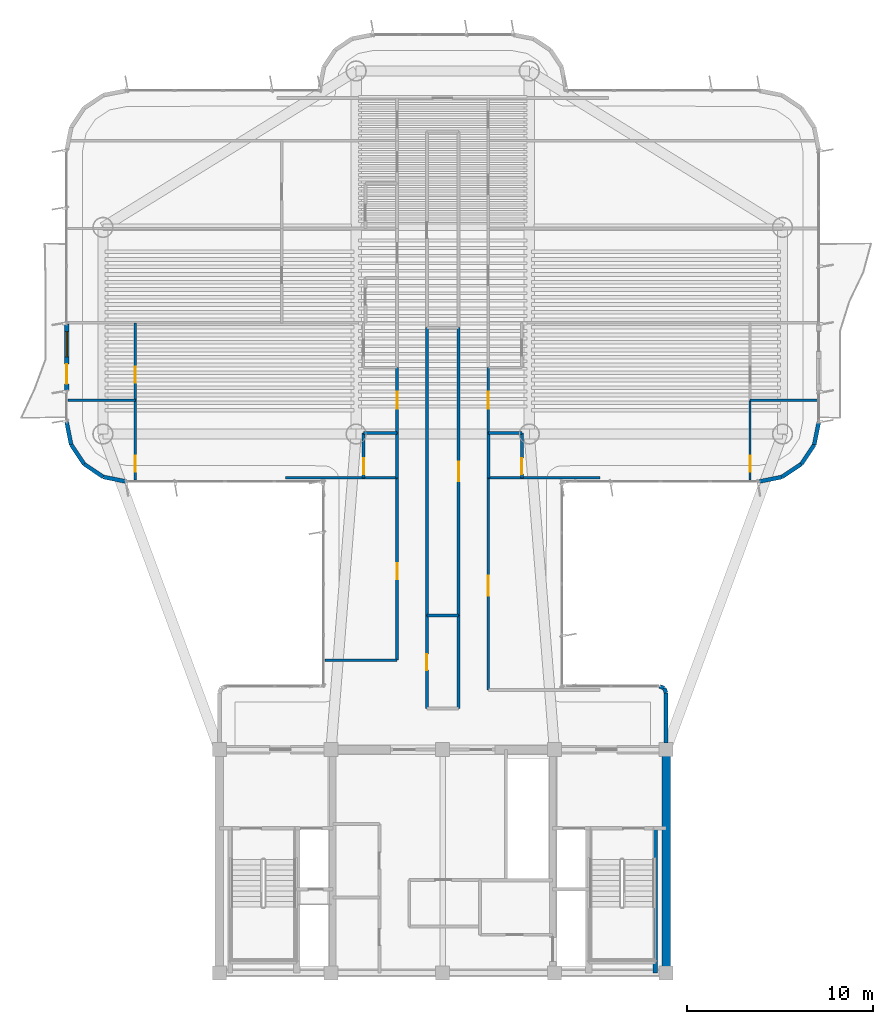
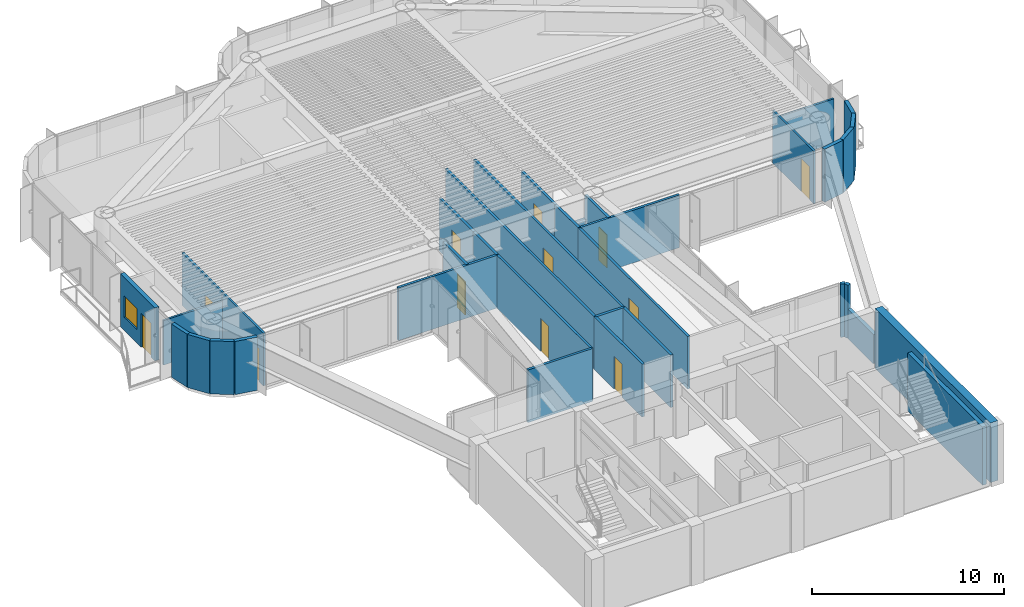
# One storey, part 9 of 13: 37 walls, 12 doors, 1 window, 13 openings.
"""IFC4 building model written with IfcOpenShell, lengths in metres."""

from ifc_helpers import new_model, si_unit, direction, frame, frame_2d, origin, origin_2d, place, context, subcontext, project, spatial, rectangle, extrude, source, transform, mapped, material, layer, layer_set, type_object, element, fill, save


model = new_model("IFC4")

# Units and contexts
model_context = context("Model", 3, precision=1e-05, world=origin(), true_north=direction((0.0, 1.0)))
body_context = subcontext(model_context, "Body", "Model", "MODEL_VIEW")
ifc_project = project(units=[si_unit("LENGTHUNIT", "METRE"), si_unit("AREAUNIT", "SQUARE_METRE"), si_unit("VOLUMEUNIT", "CUBIC_METRE"), si_unit("PLANEANGLEUNIT", "RADIAN"), si_unit("MASSUNIT", "GRAM", prefix="KILO")], contexts=[model_context])

# Site, building, storey
site_placement = place(None, origin())
site = spatial("IfcSite", under=ifc_project, at=site_placement, CompositionType="ELEMENT")
building_placement = place(site_placement, origin())
building = spatial("IfcBuilding", under=site, at=building_placement, Name="Brelvock Crest Care Tower", CompositionType="ELEMENT")
storey_placement = place(building_placement, frame((0.0, 0.0, 209.340087890625)))
storey = spatial("IfcBuildingStorey", under=building, at=storey_placement, Name="L53", CompositionType="ELEMENT", Elevation=209.340087890625)

# Walls
ifc_material_1 = material(Name="Concrete S65 (65 MPa)", Category="concrete")
ifc_layer_1 = layer(ifc_material_1, 0.449951171875, Name="WL-CS3")
ifc_layer_set_1 = layer_set([ifc_layer_1], Name="Concrete S65 (65 MPa)")
wall_type_1 = type_object("IfcWallType", Name="WL-CS3", PredefinedType="SHEAR", material=ifc_layer_set_1)
wall_1_placement = place(storey_placement, frame((48.0, 18.0, 0.0), z_axis=(0.0, 0.0, 1.0), x_axis=(0.0, -1.0, 0.0)))
element("IfcWall", 1, at=wall_1_placement, inside=storey, type_object=wall_type_1, Name="L53 Core East Shear Wall", PredefinedType="SHEAR", context=body_context, shape_type="SweptSolid", body=[
    extrude(rectangle(XDim=12.0, YDim=0.449951171875, at=frame_2d((6.0, 0.0))), origin(), (0.0, 0.0, 1.0), 3.780029296875),
])
ifc_material_2 = material(Name="Concrete S80 (80 MPa)", Category="concrete")
ifc_layer_2 = layer(ifc_material_2, 0.25, Name="WL-CS6")
ifc_layer_set_2 = layer_set([ifc_layer_2], Name="Concrete S80 (80 MPa)")
wall_type_2 = type_object("IfcWallType", Name="WL-CS6", PredefinedType="SHEAR", material=ifc_layer_set_2)
wall_2_placement = place(storey_placement, frame((47.419921875, 6.0, 0.0), z_axis=(0.0, 0.0, 1.0), x_axis=(0.0, 1.0, 0.0)))
element("IfcWall", 2, at=wall_2_placement, inside=storey, type_object=wall_type_2, Name="L53 Core Stair ST-2 East Shear Wall", PredefinedType="SHEAR", context=body_context, shape_type="SweptSolid", body=[
    extrude(rectangle(XDim=7.780029296875, YDim=0.25, at=frame_2d((3.89013671875, 0.0))), origin(), (0.0, 0.0, 1.0), 3.69189453125),
])

# Wall, openings, door, window
ifc_material_3 = material(Name="Precast concrete N40 (40 MPa)", Category="concrete")
ifc_layer_3 = layer(ifc_material_3, 0.239990234375, Name="WL-EX1")
ifc_layer_set_3 = layer_set([ifc_layer_3], Name="Precast concrete N40 (40 MPa)")
wall_type_3 = type_object("IfcWallType", Name="WL-EX1", PredefinedType="SOLIDWALL", material=ifc_layer_set_3)
wall_3_placement = place(storey_placement, frame((15.800048828125, 37.25, 0.0), z_axis=(0.0, 0.0, 1.0), x_axis=(0.0, 1.0, 0.0)))
wall_3 = element("IfcWall", 3, at=wall_3_placement, inside=storey, type_object=wall_type_3, Name="L53 Exterior Spandrel Wall WL-BAL-L53-W", PredefinedType="SOLIDWALL", context=body_context, shape_type="SweptSolid", body=[
    extrude(rectangle(XDim=3.60009765625, YDim=0.239990234375, at=frame_2d((1.800048828125, 0.0))), origin(), (0.0, 0.0, 1.0), 3.371826171875),
])
opening_1_placement = place(wall_3_placement, frame((0.39990234375, 0.0, 0.0)))
opening_1 = element("IfcOpeningElement", 4, at=opening_1_placement, cuts=wall_3, Name="Opening BD-1", PredefinedType="OPENING", context=body_context, shape_type="SweptSolid", body=[
    extrude(rectangle(XDim=1.050048828125, YDim=2.14990234375, at=origin_2d()), frame((0.52490234375, 0.1298828125, 1.074951171875), z_axis=(0.0, -1.0, 0.0), x_axis=(1.0, 0.0, 0.0)), (0.0, 0.0, 1.0), 0.260009765625),
])
opening_2_placement = place(wall_3_placement, frame((1.85009765625, 0.0, 0.85009765625)))
opening_2 = element("IfcOpeningElement", 5, at=opening_2_placement, cuts=wall_3, Name="Opening W-01", PredefinedType="OPENING", context=body_context, shape_type="SweptSolid", body=[
    extrude(rectangle(XDim=1.35009765625, YDim=1.35009765625, at=origin_2d()), frame((0.675048828125, 0.1298828125, 0.675048828125), z_axis=(0.0, -1.0, 0.0), x_axis=(1.0, 0.0, 0.0)), (0.0, 0.0, 1.0), 0.260009765625),
])
ifc_material_4 = material(Name="Dark Glass Double Glazed Low-E", Category="glass")
door_type_1 = type_object("IfcDoorType", Name="DR-BAL1", OperationType="NOTDEFINED", PredefinedType="DOOR", material=ifc_material_4)
shared_shape_1 = source(origin(), body_context, "Body", "SweptSolid", [
    extrude(rectangle(XDim=1.050048828125, YDim=2.14990234375, at=origin_2d()), frame((0.52490234375, 0.02490234375, 1.074951171875), z_axis=(0.0, -1.0, 0.0), x_axis=(1.0, 0.0, 0.0)), (0.0, 0.0, 1.0), 0.050048828125),
])
door_1_placement = place(opening_1_placement, origin())
door_1 = element("IfcDoor", 6, at=door_1_placement, inside=storey, type_object=door_type_1, Name="L53 W Wave Balcony Glazed Door", OperationType="SINGLE_SWING_LEFT", OverallHeight=2.14990234375, OverallWidth=1.050048828125, PredefinedType="DOOR", context=body_context, shape_type="MappedRepresentation", body=[
    mapped(shared_shape_1, transform((0.0, 0.0, 0.0), x_axis=(1.0, 0.0, 0.0), y_axis=(0.0, 1.0, 0.0), z_axis=(0.0, 0.0, 1.0), scale=1.0)),
])
fill(opening_1, door_1)
window_type = type_object("IfcWindowType", Name="WN-EX1", PartitioningType="SINGLE_PANEL", PredefinedType="WINDOW", material=ifc_material_4)
shared_shape_2 = source(origin(), body_context, "Body", "SweptSolid", [
    extrude(rectangle(XDim=1.35009765625, YDim=1.35009765625, at=origin_2d()), frame((0.675048828125, 0.030029296875, 0.675048828125), z_axis=(0.0, -1.0, 0.0), x_axis=(1.0, 0.0, 0.0)), (0.0, 0.0, 1.0), 0.06005859375),
])
window_placement = place(opening_2_placement, origin())
window = element("IfcWindow", 7, at=window_placement, inside=storey, type_object=window_type, Name="L53 W Suite Casement Window", OverallHeight=1.35009765625, OverallWidth=1.35009765625, PartitioningType="SINGLE_PANEL", PredefinedType="WINDOW", context=body_context, shape_type="MappedRepresentation", body=[
    mapped(shared_shape_2, transform((0.0, 0.0, 0.0), x_axis=(1.0, 0.0, 0.0), y_axis=(0.0, 1.0, 0.0), z_axis=(0.0, 0.0, 1.0), scale=1.0)),
])
fill(opening_2, window)

# Walls
ifc_layer_4 = layer(ifc_material_3, 0.215087890625, Name="WL-EX2")
ifc_layer_set_4 = layer_set([ifc_layer_4], Name="Precast concrete N40 (40 MPa)")
wall_type_4 = type_object("IfcWallType", Name="WL-EX2", PredefinedType="SOLIDWALL", material=ifc_layer_set_4)
wall_4_placement = place(storey_placement, frame((47.8974609375, 21.297607421875, 0.0), z_axis=(0.0, 0.0, 1.0), x_axis=(0.382673670509, -0.923883575944, 0.0)))
element("IfcWall", 8, at=wall_4_placement, inside=storey, type_object=wall_type_4, Name="L53 Rounded Corner Wall 00", PredefinedType="SOLIDWALL", context=body_context, shape_type="SweptSolid", body=[
    extrude(rectangle(XDim=0.26806640625, YDim=0.215087890625, at=frame_2d((0.134033203125, 0.0))), origin(), (0.0, 0.0, 1.0), 3.371826171875),
])
wall_5_placement = place(storey_placement, frame((48.0, 21.050048828125, 0.0), z_axis=(0.0, 0.0, 1.0), x_axis=(0.0, -1.0, 0.0)))
element("IfcWall", 9, at=wall_5_placement, inside=storey, type_object=wall_type_4, Name="L53 Rounded Corner Wall 01", PredefinedType="SOLIDWALL", context=body_context, shape_type="SweptSolid", body=[
    extrude(rectangle(XDim=2.695068359375, YDim=0.215087890625, at=frame_2d((1.34765625, 0.0))), origin(), (0.0, 0.0, 1.0), 1.85986328125),
])
for number, where, z_axis, x_axis, name in (
    (10, (19.0, 32.39990234375, 0.0), (0.0, 0.0, 1.0), (-0.980775717779, 0.195138390419, 0.0), "L53 Rounded Corner Wall 13"),
    (11, (17.775390625, 32.6435546875, 0.0), (0.0, 0.0, 1.0), (-0.831387912822, 0.555692485475, 0.0), "L53 Rounded Corner Wall 14"),
    (12, (16.7373046875, 33.33740234375, 0.0), (0.0, 0.0, 1.0), (-0.555557312883, 0.831478245117, 0.0), "L53 Rounded Corner Wall 15"),
    (13, (16.043701171875, 34.37548828125, 0.0), (0.0, 0.0, 1.0), (-0.195138390419, 0.980775717779, 0.0), "L53 Rounded Corner Wall 16"),
    (14, (56.199951171875, 35.60009765625, 0.0), (0.0, 0.0, 1.0), (-0.195138390419, -0.980775717779, 0.0), "L53 Rounded Corner Wall 40"),
    (15, (55.956298828125, 34.37548828125, 0.0), (0.0, 0.0, 1.0), (-0.555557312883, -0.831478245117, 0.0), "L53 Rounded Corner Wall 41"),
    (16, (55.2626953125, 33.33740234375, 0.0), (0.0, 0.0, 1.0), (-0.831387912822, -0.555692485475, 0.0), "L53 Rounded Corner Wall 42"),
    (17, (54.224609375, 32.6435546875, 0.0), (0.0, 0.0, 1.0), (-0.980775717779, -0.195138390419, 0.0), "L53 Rounded Corner Wall 43"),
):
    element("IfcWall", number, at=place(storey_placement, frame(where, z_axis=z_axis, x_axis=x_axis)), inside=storey, type_object=wall_type_4, Name=name, PredefinedType="SOLIDWALL", context=body_context, shape_type="SweptSolid", body=[
        extrude(rectangle(XDim=1.24853515625, YDim=0.215087890625, at=frame_2d((0.624267578125, 0.0))), origin(), (0.0, 0.0, 1.0), 3.371826171875),
    ])
wall_6_placement = place(storey_placement, frame((47.64990234375, 21.39990234375, 0.0), z_axis=(0.0, 0.0, 1.0), x_axis=(0.924205486139, -0.381895560841, 0.0)))
element("IfcWall", 18, at=wall_6_placement, inside=storey, type_object=wall_type_4, Name="L53 Rounded Corner Wall 47", PredefinedType="SOLIDWALL", context=body_context, shape_type="SweptSolid", body=[
    extrude(rectangle(XDim=0.267822265625, YDim=0.215087890625, at=frame_2d((0.1337890625, 0.0))), origin(), (0.0, 0.0, 1.0), 3.371826171875),
])
ifc_material_5 = material(Name="Masonry Blockwork Acoustic Partition", Category="masonry")
ifc_layer_5 = layer(ifc_material_5, 0.14990234375, Name="WL-INT1")
ifc_layer_set_5 = layer_set([ifc_layer_5], Name="Masonry Blockwork Acoustic Partition")
wall_type_5 = type_object("IfcWallType", Name="WL-INT1", PredefinedType="PARTITIONING", material=ifc_layer_set_5)
wall_7_placement = place(storey_placement, frame((29.6796875, 22.800048828125, 0.0), z_axis=(0.0, 0.0, 1.0), x_axis=(1.0, 0.0, 0.0)))
element("IfcWall", 19, at=wall_7_placement, inside=storey, type_object=wall_type_5, Name="L53 Interior Wall WL-BX-L53-THRW-S", PredefinedType="PARTITIONING", context=body_context, shape_type="SweptSolid", body=[
    extrude(rectangle(XDim=3.870361328125, YDim=0.14990234375, at=frame_2d((1.93505859375, 0.0))), origin(), (0.0, 0.0, 1.0), 3.341796875),
])
wall_8_placement = place(storey_placement, frame((27.55712890625, 32.60009765625, 0.0), z_axis=(0.0, 0.0, 1.0), x_axis=(1.0, 0.0, 0.0)))
element("IfcWall", 20, at=wall_8_placement, inside=storey, type_object=wall_type_5, Name="L53 Interior Wall WL-BX-L53-FL-WF1-S2", PredefinedType="PARTITIONING", context=body_context, shape_type="SweptSolid", body=[
    extrude(rectangle(XDim=5.992919921875, YDim=0.14990234375, at=frame_2d((2.99658203125, 0.0))), origin(), (0.0, 0.0, 1.0), 3.341796875),
])
wall_9_placement = place(storey_placement, frame((38.449951171875, 32.60009765625, 0.0), z_axis=(0.0, 0.0, 1.0), x_axis=(1.0, 0.0, 0.0)))
element("IfcWall", 21, at=wall_9_placement, inside=storey, type_object=wall_type_5, Name="L53 Interior Wall WL-BX-L53-FL-EF1-S", PredefinedType="PARTITIONING", context=body_context, shape_type="SweptSolid", body=[
    extrude(rectangle(XDim=5.993408203125, YDim=0.14990234375, at=frame_2d((2.99658203125, 0.0))), origin(), (0.0, 0.0, 1.0), 3.341796875),
])

# Wall, opening, door
wall_10_placement = place(storey_placement, frame((33.550048828125, 22.800048828125, 0.0), z_axis=(0.0, 0.0, 1.0), x_axis=(0.0, 1.0, 0.0)))
wall_10 = element("IfcWall", 22, at=wall_10_placement, inside=storey, type_object=wall_type_5, Name="L53 Interior Wall WL-RM-L53-THRW", PredefinedType="PARTITIONING", context=body_context, shape_type="SweptSolid", body=[
    extrude(rectangle(XDim=9.800048828125, YDim=0.14990234375, at=frame_2d((4.89990234375, 0.0))), origin(), (0.0, 0.0, 1.0), 3.341796875),
])
opening_3_placement = place(wall_10_placement, frame((4.340087890625, 0.0, 0.0)))
opening_3 = element("IfcOpeningElement", 23, at=opening_3_placement, cuts=wall_10, Name="Opening ID-1", PredefinedType="OPENING", context=body_context, shape_type="SweptSolid", body=[
    extrude(rectangle(XDim=0.860107421875, YDim=2.10009765625, at=origin_2d()), frame((0.43017578125, 0.0849609375, 1.050048828125), z_axis=(0.0, -1.0, 0.0), x_axis=(1.0, 0.0, 0.0)), (0.0, 0.0, 1.0), 0.169921875),
])
ifc_material_6 = material(Name="Engineered Hardwood Timber", Category="wood")
door_type_2 = type_object("IfcDoorType", Name="DR-INT1", OperationType="NOTDEFINED", PredefinedType="DOOR", material=ifc_material_6)
shared_shape_3 = source(origin(), body_context, "Body", "SweptSolid", [
    extrude(rectangle(XDim=0.860107421875, YDim=2.10009765625, at=origin_2d()), frame((0.43017578125, 0.02490234375, 1.050048828125), z_axis=(0.0, -1.0, 0.0), x_axis=(1.0, 0.0, 0.0)), (0.0, 0.0, 1.0), 0.050048828125),
])
door_2_placement = place(opening_3_placement, origin())
door_2 = element("IfcDoor", 24, at=door_2_placement, inside=storey, type_object=door_type_2, Name="L53 Quiet Family Consultation Room Door THRW", OperationType="SINGLE_SWING_LEFT", OverallHeight=2.10009765625, OverallWidth=0.860107421875, PredefinedType="DOOR", context=body_context, shape_type="MappedRepresentation", body=[
    mapped(shared_shape_3, transform((0.0, 0.0, 0.0), x_axis=(1.0, 0.0, 0.0), y_axis=(0.0, 1.0, 0.0), z_axis=(0.0, 0.0, 1.0), scale=1.0)),
])
fill(opening_3, door_2)

wall_11_placement = place(storey_placement, frame((33.550048828125, 35.0, 0.0), z_axis=(0.0, 0.0, 1.0), x_axis=(0.0, 1.0, 0.0)))
wall_11 = element("IfcWall", 25, at=wall_11_placement, inside=storey, type_object=wall_type_5, Name="L53 Interior Wall WL-UENT-L53-WF1", PredefinedType="PARTITIONING", context=body_context, shape_type="SweptSolid", body=[
    extrude(rectangle(XDim=3.52587890625, YDim=0.14990234375, at=frame_2d((1.762939453125, 0.0))), origin(), (0.0, 0.0, 1.0), 3.341796875),
])
opening_4_placement = place(wall_11_placement, frame((1.302978515625, 0.0, 0.0)))
opening_4 = element("IfcOpeningElement", 26, at=opening_4_placement, cuts=wall_11, Name="Opening AD-1", PredefinedType="OPENING", context=body_context, shape_type="SweptSolid", body=[
    extrude(rectangle(XDim=0.919921875, YDim=2.10009765625, at=origin_2d()), frame((0.4599609375, 0.0849609375, 1.050048828125), z_axis=(0.0, -1.0, 0.0), x_axis=(1.0, 0.0, 0.0)), (0.0, 0.0, 1.0), 0.169921875),
])
door_type_3 = type_object("IfcDoorType", Name="DR-APT1", OperationType="NOTDEFINED", PredefinedType="DOOR", material=ifc_material_6)
shared_shape_4 = source(origin(), body_context, "Body", "SweptSolid", [
    extrude(rectangle(XDim=0.919921875, YDim=2.10009765625, at=origin_2d()), frame((0.4599609375, 0.02490234375, 1.050048828125), z_axis=(0.0, -1.0, 0.0), x_axis=(1.0, 0.0, 0.0)), (0.0, 0.0, 1.0), 0.050048828125),
])
door_3_placement = place(opening_4_placement, origin())
door_3 = element("IfcDoor", 27, at=door_3_placement, inside=storey, type_object=door_type_3, Name="L53 Apartment Entrance WF1", OperationType="SINGLE_SWING_LEFT", OverallHeight=2.10009765625, OverallWidth=0.919921875, PredefinedType="DOOR", context=body_context, shape_type="MappedRepresentation", body=[
    mapped(shared_shape_4, transform((0.0, 0.0, 0.0), x_axis=(1.0, 0.0, 0.0), y_axis=(0.0, 1.0, 0.0), z_axis=(0.0, 0.0, 1.0), scale=1.0)),
])
fill(opening_4, door_3)

# Wall
wall_12_placement = place(storey_placement, frame((35.14990234375, 25.199951171875, 0.0), z_axis=(0.0, 0.0, 1.0), x_axis=(0.0, 1.0, 0.0)))
element("IfcWall", 28, at=wall_12_placement, inside=storey, type_object=wall_type_5, Name="L53 Interior Wall WL-BX-L53-ISNS-W", PredefinedType="PARTITIONING", context=body_context, shape_type="SweptSolid", body=[
    extrude(rectangle(XDim=15.4599609375, YDim=0.14990234375, at=frame_2d((7.72998046875, 0.0))), origin(), (0.0, 0.0, 1.0), 3.341796875),
])

# Wall, opening, door
wall_13_placement = place(storey_placement, frame((36.85009765625, 25.199951171875, 0.0), z_axis=(0.0, 0.0, 1.0), x_axis=(0.0, 1.0, 0.0)))
wall_13 = element("IfcWall", 29, at=wall_13_placement, inside=storey, type_object=wall_type_5, Name="L53 Interior Wall WL-RM-L53-ISNS", PredefinedType="PARTITIONING", context=body_context, shape_type="SweptSolid", body=[
    extrude(rectangle(XDim=15.4599609375, YDim=0.14990234375, at=frame_2d((7.72998046875, 0.0))), origin(), (0.0, 0.0, 1.0), 3.341796875),
])
opening_5_placement = place(wall_13_placement, frame((7.205078125, 0.0, 0.0)))
opening_5 = element("IfcOpeningElement", 30, at=opening_5_placement, cuts=wall_13, Name="Opening CLD-1", PredefinedType="OPENING", context=body_context, shape_type="SweptSolid", body=[
    extrude(rectangle(XDim=1.050048828125, YDim=2.10009765625, at=origin_2d()), frame((0.52490234375, 0.0849609375, 1.050048828125), z_axis=(0.0, -1.0, 0.0), x_axis=(1.0, 0.0, 0.0)), (0.0, 0.0, 1.0), 0.169921875),
])
door_type_4 = type_object("IfcDoorType", Name="DR-CLN1", OperationType="NOTDEFINED", PredefinedType="DOOR", material=ifc_material_6)
shared_shape_5 = source(origin(), body_context, "Body", "SweptSolid", [
    extrude(rectangle(XDim=1.050048828125, YDim=2.10009765625, at=origin_2d()), frame((0.52490234375, 0.02490234375, 1.050048828125), z_axis=(0.0, -1.0, 0.0), x_axis=(1.0, 0.0, 0.0)), (0.0, 0.0, 1.0), 0.050048828125),
])
door_4_placement = place(opening_5_placement, origin())
door_4 = element("IfcDoor", 31, at=door_4_placement, inside=storey, type_object=door_type_4, Name="L53 Care Concierge and Triage Station Door ISNS", OperationType="SINGLE_SWING_LEFT", OverallHeight=2.10009765625, OverallWidth=1.050048828125, PredefinedType="DOOR", context=body_context, shape_type="MappedRepresentation", body=[
    mapped(shared_shape_5, transform((0.0, 0.0, 0.0), x_axis=(1.0, 0.0, 0.0), y_axis=(0.0, 1.0, 0.0), z_axis=(0.0, 0.0, 1.0), scale=1.0)),
])
fill(opening_5, door_4)

wall_14_placement = place(storey_placement, frame((38.449951171875, 21.199951171875, 0.0), z_axis=(0.0, 0.0, 1.0), x_axis=(0.0, 1.0, 0.0)))
wall_14 = element("IfcWall", 32, at=wall_14_placement, inside=storey, type_object=wall_type_5, Name="L53 Interior Wall WL-RM-L53-THRE", PredefinedType="PARTITIONING", context=body_context, shape_type="SweptSolid", body=[
    extrude(rectangle(XDim=11.400146484375, YDim=0.14990234375, at=frame_2d((5.7001953125, 0.0))), origin(), (0.0, 0.0, 1.0), 3.341796875),
])
opening_6_placement = place(wall_14_placement, frame((5.074951171875, 0.0, 0.0)))
opening_6 = element("IfcOpeningElement", 33, at=opening_6_placement, cuts=wall_14, Name="Opening CLD-1", PredefinedType="OPENING", context=body_context, shape_type="SweptSolid", body=[
    extrude(rectangle(XDim=1.050048828125, YDim=2.10009765625, at=origin_2d()), frame((0.52490234375, 0.0849609375, 1.050048828125), z_axis=(0.0, -1.0, 0.0), x_axis=(1.0, 0.0, 0.0)), (0.0, 0.0, 1.0), 0.169921875),
])
door_5_placement = place(opening_6_placement, origin())
door_5 = element("IfcDoor", 34, at=door_5_placement, inside=storey, type_object=door_type_4, Name="L53 Allied Health Therapy Room Door THRE", OperationType="SINGLE_SWING_LEFT", OverallHeight=2.10009765625, OverallWidth=1.050048828125, PredefinedType="DOOR", context=body_context, shape_type="MappedRepresentation", body=[
    mapped(shared_shape_5, transform((0.0, 0.0, 0.0), x_axis=(1.0, 0.0, 0.0), y_axis=(0.0, 1.0, 0.0), z_axis=(0.0, 0.0, 1.0), scale=1.0)),
])
fill(opening_6, door_5)

wall_15_placement = place(storey_placement, frame((38.449951171875, 35.0, 0.0), z_axis=(0.0, 0.0, 1.0), x_axis=(0.0, 1.0, 0.0)))
wall_15 = element("IfcWall", 35, at=wall_15_placement, inside=storey, type_object=wall_type_5, Name="L53 Interior Wall WL-UENT-L53-EF1", PredefinedType="PARTITIONING", context=body_context, shape_type="SweptSolid", body=[
    extrude(rectangle(XDim=3.52587890625, YDim=0.14990234375, at=frame_2d((1.762939453125, 0.0))), origin(), (0.0, 0.0, 1.0), 3.341796875),
])
opening_7_placement = place(wall_15_placement, frame((1.302978515625, 0.0, 0.0)))
opening_7 = element("IfcOpeningElement", 36, at=opening_7_placement, cuts=wall_15, Name="Opening AD-1", PredefinedType="OPENING", context=body_context, shape_type="SweptSolid", body=[
    extrude(rectangle(XDim=0.919921875, YDim=2.10009765625, at=origin_2d()), frame((0.4599609375, 0.0849609375, 1.050048828125), z_axis=(0.0, -1.0, 0.0), x_axis=(1.0, 0.0, 0.0)), (0.0, 0.0, 1.0), 0.169921875),
])
door_6_placement = place(opening_7_placement, origin())
door_6 = element("IfcDoor", 37, at=door_6_placement, inside=storey, type_object=door_type_3, Name="L53 Apartment Entrance EF1", OperationType="SINGLE_SWING_LEFT", OverallHeight=2.10009765625, OverallWidth=0.919921875, PredefinedType="DOOR", context=body_context, shape_type="MappedRepresentation", body=[
    mapped(shared_shape_4, transform((0.0, 0.0, 0.0), x_axis=(1.0, 0.0, 0.0), y_axis=(0.0, 1.0, 0.0), z_axis=(0.0, 0.0, 1.0), scale=1.0)),
])
fill(opening_7, door_6)

# Walls
ifc_material_7 = material(Name="Gypsum Plasterboard Partition", Category="gypsum")
ifc_layer_6 = layer(ifc_material_7, 0.1201171875, Name="WL-INT2")
ifc_layer_set_6 = layer_set([ifc_layer_6], Name="Gypsum Plasterboard Partition")
wall_type_6 = type_object("IfcWallType", Name="WL-INT2", PredefinedType="PARTITIONING", material=ifc_layer_set_6)
for number, where, z_axis, x_axis, name in (
    (38, (15.8798828125, 36.762939453125, 0.0), (0.0, 0.0, 1.0), (1.0, 0.0, 0.0), "L53 Interior Wall WL-UBSP-L53-WF1"),
    (39, (52.510009765625, 36.762939453125, 0.0), (0.0, 0.0, 1.0), (1.0, 0.0, 0.0), "L53 Interior Wall WL-UBSP-L53-EF1"),
):
    element("IfcWall", number, at=place(storey_placement, frame(where, z_axis=z_axis, x_axis=x_axis)), inside=storey, type_object=wall_type_6, Name=name, PredefinedType="PARTITIONING", context=body_context, shape_type="SweptSolid", body=[
        extrude(rectangle(XDim=3.610107421875, YDim=0.1201171875, at=frame_2d((1.80517578125, 0.0))), origin(), (0.0, 0.0, 1.0), 2.823974609375),
    ])

# Wall, opening, door
wall_16_placement = place(storey_placement, frame((19.489990234375, 32.47998046875, 0.0), z_axis=(0.0, 0.0, 1.0), x_axis=(0.0, 1.0, 0.0)))
wall_16 = element("IfcWall", 40, at=wall_16_placement, inside=storey, type_object=wall_type_6, Name="L53 Interior Wall WL-UBD1-L53-WF1", PredefinedType="PARTITIONING", context=body_context, shape_type="SweptSolid", body=[
    extrude(rectangle(XDim=4.282958984375, YDim=0.1201171875, at=frame_2d((2.1416015625, 0.0))), origin(), (0.0, 0.0, 1.0), 3.341796875),
])
opening_8_placement = place(wall_16_placement, frame((0.431884765625, 0.0, 0.0)))
opening_8 = element("IfcOpeningElement", 41, at=opening_8_placement, cuts=wall_16, Name="Opening ID-1", PredefinedType="OPENING", context=body_context, shape_type="SweptSolid", body=[
    extrude(rectangle(XDim=0.860107421875, YDim=2.10009765625, at=origin_2d()), frame((0.43017578125, 0.070068359375, 1.050048828125), z_axis=(0.0, -1.0, 0.0), x_axis=(1.0, 0.0, 0.0)), (0.0, 0.0, 1.0), 0.14013671875),
])
door_7_placement = place(opening_8_placement, origin())
door_7 = element("IfcDoor", 42, at=door_7_placement, inside=storey, type_object=door_type_2, Name="L53 Primary Bedroom Door WF1", OperationType="SINGLE_SWING_RIGHT", OverallHeight=2.10009765625, OverallWidth=0.860107421875, PredefinedType="DOOR", context=body_context, shape_type="MappedRepresentation", body=[
    mapped(shared_shape_3, transform((0.0, 0.0, 0.0), x_axis=(1.0, 0.0, 0.0), y_axis=(0.0, 1.0, 0.0), z_axis=(0.0, 0.0, 1.0), scale=1.0)),
])
fill(opening_8, door_7)

wall_17_placement = place(storey_placement, frame((19.489990234375, 36.762939453125, 0.0), z_axis=(0.0, 0.0, 1.0), x_axis=(0.0, 1.0, 0.0)))
wall_17 = element("IfcWall", 43, at=wall_17_placement, inside=storey, type_object=wall_type_6, Name="L53 Interior Wall WL-UBD2-L53-WF1", PredefinedType="PARTITIONING", context=body_context, shape_type="SweptSolid", body=[
    extrude(rectangle(XDim=4.1630859375, YDim=0.1201171875, at=frame_2d((2.08154296875, 0.0))), origin(), (0.0, 0.0, 1.0), 3.341796875),
])
opening_9_placement = place(wall_17_placement, frame((0.931884765625, 0.0, 0.0)))
opening_9 = element("IfcOpeningElement", 44, at=opening_9_placement, cuts=wall_17, Name="Opening ID-1", PredefinedType="OPENING", context=body_context, shape_type="SweptSolid", body=[
    extrude(rectangle(XDim=0.860107421875, YDim=2.10009765625, at=origin_2d()), frame((0.43017578125, 0.070068359375, 1.050048828125), z_axis=(0.0, -1.0, 0.0), x_axis=(1.0, 0.0, 0.0)), (0.0, 0.0, 1.0), 0.14013671875),
])
door_8_placement = place(opening_9_placement, origin())
door_8 = element("IfcDoor", 45, at=door_8_placement, inside=storey, type_object=door_type_2, Name="L53 Second Room Door WF1", OperationType="SINGLE_SWING_LEFT", OverallHeight=2.10009765625, OverallWidth=0.860107421875, PredefinedType="DOOR", context=body_context, shape_type="MappedRepresentation", body=[
    mapped(shared_shape_3, transform((0.0, 0.0, 0.0), x_axis=(1.0, 0.0, 0.0), y_axis=(0.0, 1.0, 0.0), z_axis=(0.0, 0.0, 1.0), scale=1.0)),
])
fill(opening_9, door_8)

wall_18_placement = place(storey_placement, frame((52.510009765625, 32.47998046875, 0.0), z_axis=(0.0, 0.0, 1.0), x_axis=(0.0, 1.0, 0.0)))
wall_18 = element("IfcWall", 46, at=wall_18_placement, inside=storey, type_object=wall_type_6, Name="L53 Interior Wall WL-UBD1-L53-EF1", PredefinedType="PARTITIONING", context=body_context, shape_type="SweptSolid", body=[
    extrude(rectangle(XDim=4.282958984375, YDim=0.1201171875, at=frame_2d((2.1416015625, 0.0))), origin(), (0.0, 0.0, 1.0), 3.341796875),
])
opening_10_placement = place(wall_18_placement, frame((0.431884765625, 0.0, 0.0)))
opening_10 = element("IfcOpeningElement", 47, at=opening_10_placement, cuts=wall_18, Name="Opening ID-1", PredefinedType="OPENING", context=body_context, shape_type="SweptSolid", body=[
    extrude(rectangle(XDim=0.860107421875, YDim=2.10009765625, at=origin_2d()), frame((0.43017578125, 0.070068359375, 1.050048828125), z_axis=(0.0, -1.0, 0.0), x_axis=(1.0, 0.0, 0.0)), (0.0, 0.0, 1.0), 0.14013671875),
])
door_9_placement = place(opening_10_placement, origin())
door_9 = element("IfcDoor", 48, at=door_9_placement, inside=storey, type_object=door_type_2, Name="L53 Primary Bedroom Door EF1", OperationType="SINGLE_SWING_RIGHT", OverallHeight=2.10009765625, OverallWidth=0.860107421875, PredefinedType="DOOR", context=body_context, shape_type="MappedRepresentation", body=[
    mapped(shared_shape_3, transform((0.0, 0.0, 0.0), x_axis=(1.0, 0.0, 0.0), y_axis=(0.0, 1.0, 0.0), z_axis=(0.0, 0.0, 1.0), scale=1.0)),
])
fill(opening_10, door_9)

# Walls
ifc_layer_7 = layer(ifc_material_7, 0.159912109375, Name="WL-PLM1")
ifc_layer_set_7 = layer_set([ifc_layer_7], Name="Gypsum Plasterboard Partition")
wall_type_7 = type_object("IfcWallType", Name="WL-PLM1", PredefinedType="PLUMBINGWALL", material=ifc_layer_set_7)
wall_19_placement = place(storey_placement, frame((35.14990234375, 25.199951171875, 0.0), z_axis=(0.0, 0.0, 1.0), x_axis=(1.0, 0.0, 0.0)))
element("IfcWall", 49, at=wall_19_placement, inside=storey, type_object=wall_type_7, Name="L53 Interior Wall WL-BX-L53-ISNS-S", PredefinedType="PLUMBINGWALL", context=body_context, shape_type="SweptSolid", body=[
    extrude(rectangle(XDim=1.7001953125, YDim=0.159912109375, at=frame_2d((0.85009765625, 0.0))), origin(), (0.0, 0.0, 1.0), 3.341796875),
])
for number, where, z_axis, x_axis, name in (
    (50, (31.75, 35.0, 0.0), (0.0, 0.0, 1.0), (1.0, 0.0, 0.0), "L53 Interior Wall WL-UBTH2-L53-WF1"),
    (51, (38.449951171875, 35.0, 0.0), (0.0, 0.0, 1.0), (1.0, 0.0, 0.0), "L53 Interior Wall WL-UBTH2-L53-EF1"),
):
    element("IfcWall", number, at=place(storey_placement, frame(where, z_axis=z_axis, x_axis=x_axis)), inside=storey, type_object=wall_type_7, Name=name, PredefinedType="PLUMBINGWALL", context=body_context, shape_type="SweptSolid", body=[
        extrude(rectangle(XDim=1.800048828125, YDim=0.159912109375, at=frame_2d((0.89990234375, 0.0))), origin(), (0.0, 0.0, 1.0), 1.85693359375),
    ])

# Wall, opening, door
wall_20_placement = place(storey_placement, frame((31.75, 32.60009765625, 0.0), z_axis=(0.0, 0.0, 1.0), x_axis=(0.0, 1.0, 0.0)))
wall_20 = element("IfcWall", 52, at=wall_20_placement, inside=storey, type_object=wall_type_7, Name="L53 Interior Wall WL-UBTH1-L53-WF1", PredefinedType="PLUMBINGWALL", context=body_context, shape_type="SweptSolid", body=[
    extrude(rectangle(XDim=2.39990234375, YDim=0.159912109375, at=frame_2d((1.199951171875, 0.0))), origin(), (0.0, 0.0, 1.0), 3.341796875),
])
opening_11_placement = place(wall_20_placement, frame((0.199951171875, 0.0, 0.0)))
opening_11 = element("IfcOpeningElement", 53, at=opening_11_placement, cuts=wall_20, Name="Opening WD-1", PredefinedType="OPENING", context=body_context, shape_type="SweptSolid", body=[
    extrude(rectangle(XDim=0.860107421875, YDim=2.10009765625, at=origin_2d()), frame((0.43017578125, 0.08984375, 1.050048828125), z_axis=(0.0, -1.0, 0.0), x_axis=(1.0, 0.0, 0.0)), (0.0, 0.0, 1.0), 0.179931640625),
])
door_type_5 = type_object("IfcDoorType", Name="DR-WC1", OperationType="NOTDEFINED", PredefinedType="DOOR", material=ifc_material_6)
shared_shape_6 = source(origin(), body_context, "Body", "SweptSolid", [
    extrude(rectangle(XDim=0.860107421875, YDim=2.10009765625, at=origin_2d()), frame((0.43017578125, 0.02490234375, 1.050048828125), z_axis=(0.0, -1.0, 0.0), x_axis=(1.0, 0.0, 0.0)), (0.0, 0.0, 1.0), 0.050048828125),
])
door_10_placement = place(opening_11_placement, origin())
door_10 = element("IfcDoor", 54, at=door_10_placement, inside=storey, type_object=door_type_5, Name="L53 Bathroom Door WF1", OperationType="SINGLE_SWING_LEFT", OverallHeight=2.10009765625, OverallWidth=0.860107421875, PredefinedType="DOOR", context=body_context, shape_type="MappedRepresentation", body=[
    mapped(shared_shape_6, transform((0.0, 0.0, 0.0), x_axis=(1.0, 0.0, 0.0), y_axis=(0.0, 1.0, 0.0), z_axis=(0.0, 0.0, 1.0), scale=1.0)),
])
fill(opening_11, door_10)

# Wall
wall_21_placement = place(storey_placement, frame((33.550048828125, 32.60009765625, 0.0), z_axis=(0.0, 0.0, 1.0), x_axis=(0.0, 1.0, 0.0)))
element("IfcWall", 55, at=wall_21_placement, inside=storey, type_object=wall_type_7, Name="L53 Interior Wall WL-UCB-L53-WF1", PredefinedType="PLUMBINGWALL", context=body_context, shape_type="SweptSolid", body=[
    extrude(rectangle(XDim=2.39990234375, YDim=0.159912109375, at=frame_2d((1.199951171875, 0.0))), origin(), (0.0, 0.0, 1.0), 3.341796875),
])

# Wall, opening, door
wall_22_placement = place(storey_placement, frame((35.14990234375, 20.199951171875, 0.0), z_axis=(0.0, 0.0, 1.0), x_axis=(0.0, 1.0, 0.0)))
wall_22 = element("IfcWall", 56, at=wall_22_placement, inside=storey, type_object=wall_type_7, Name="L53 Interior Wall WL-RM-L53-ISWC", PredefinedType="PLUMBINGWALL", context=body_context, shape_type="SweptSolid", body=[
    extrude(rectangle(XDim=5.0, YDim=0.159912109375, at=frame_2d((2.5, 0.0))), origin(), (0.0, 0.0, 1.0), 3.341796875),
])
opening_12_placement = place(wall_22_placement, frame((2.070068359375, 0.0, 0.0)))
opening_12 = element("IfcOpeningElement", 57, at=opening_12_placement, cuts=wall_22, Name="Opening WD-1", PredefinedType="OPENING", context=body_context, shape_type="SweptSolid", body=[
    extrude(rectangle(XDim=0.860107421875, YDim=2.10009765625, at=origin_2d()), frame((0.43017578125, 0.08984375, 1.050048828125), z_axis=(0.0, -1.0, 0.0), x_axis=(1.0, 0.0, 0.0)), (0.0, 0.0, 1.0), 0.179931640625),
])
door_11_placement = place(opening_12_placement, origin())
door_11 = element("IfcDoor", 58, at=door_11_placement, inside=storey, type_object=door_type_5, Name="L53 High-Zone Accessible WC Door ISWC", OperationType="SINGLE_SWING_LEFT", OverallHeight=2.10009765625, OverallWidth=0.860107421875, PredefinedType="DOOR", context=body_context, shape_type="MappedRepresentation", body=[
    mapped(shared_shape_6, transform((0.0, 0.0, 0.0), x_axis=(1.0, 0.0, 0.0), y_axis=(0.0, 1.0, 0.0), z_axis=(0.0, 0.0, 1.0), scale=1.0)),
])
fill(opening_12, door_11)

# Walls
wall_23_placement = place(storey_placement, frame((36.85009765625, 20.199951171875, 0.0), z_axis=(0.0, 0.0, 1.0), x_axis=(0.0, 1.0, 0.0)))
element("IfcWall", 59, at=wall_23_placement, inside=storey, type_object=wall_type_7, Name="L53 Interior Wall WL-BX-L53-ISWC-E", PredefinedType="PLUMBINGWALL", context=body_context, shape_type="SweptSolid", body=[
    extrude(rectangle(XDim=5.0, YDim=0.159912109375, at=frame_2d((2.5, 0.0))), origin(), (0.0, 0.0, 1.0), 3.341796875),
])
wall_24_placement = place(storey_placement, frame((38.449951171875, 32.60009765625, 0.0), z_axis=(0.0, 0.0, 1.0), x_axis=(0.0, 1.0, 0.0)))
element("IfcWall", 60, at=wall_24_placement, inside=storey, type_object=wall_type_7, Name="L53 Interior Wall WL-UCB-L53-EF1", PredefinedType="PLUMBINGWALL", context=body_context, shape_type="SweptSolid", body=[
    extrude(rectangle(XDim=2.39990234375, YDim=0.159912109375, at=frame_2d((1.199951171875, 0.0))), origin(), (0.0, 0.0, 1.0), 3.341796875),
])

# Wall, opening, door
wall_25_placement = place(storey_placement, frame((40.25, 32.60009765625, 0.0), z_axis=(0.0, 0.0, 1.0), x_axis=(0.0, 1.0, 0.0)))
wall_25 = element("IfcWall", 61, at=wall_25_placement, inside=storey, type_object=wall_type_7, Name="L53 Interior Wall WL-UBTH1-L53-EF1", PredefinedType="PLUMBINGWALL", context=body_context, shape_type="SweptSolid", body=[
    extrude(rectangle(XDim=2.39990234375, YDim=0.159912109375, at=frame_2d((1.199951171875, 0.0))), origin(), (0.0, 0.0, 1.0), 3.341796875),
])
opening_13_placement = place(wall_25_placement, frame((0.199951171875, 0.0, 0.0)))
opening_13 = element("IfcOpeningElement", 62, at=opening_13_placement, cuts=wall_25, Name="Opening WD-1", PredefinedType="OPENING", context=body_context, shape_type="SweptSolid", body=[
    extrude(rectangle(XDim=0.860107421875, YDim=2.10009765625, at=origin_2d()), frame((0.43017578125, 0.08984375, 1.050048828125), z_axis=(0.0, -1.0, 0.0), x_axis=(1.0, 0.0, 0.0)), (0.0, 0.0, 1.0), 0.179931640625),
])
door_12_placement = place(opening_13_placement, origin())
door_12 = element("IfcDoor", 63, at=door_12_placement, inside=storey, type_object=door_type_5, Name="L53 Bathroom Door EF1", OperationType="SINGLE_SWING_LEFT", OverallHeight=2.10009765625, OverallWidth=0.860107421875, PredefinedType="DOOR", context=body_context, shape_type="MappedRepresentation", body=[
    mapped(shared_shape_6, transform((0.0, 0.0, 0.0), x_axis=(1.0, 0.0, 0.0), y_axis=(0.0, 1.0, 0.0), z_axis=(0.0, 0.0, 1.0), scale=1.0)),
])
fill(opening_13, door_12)

save(model, "model.ifc")
